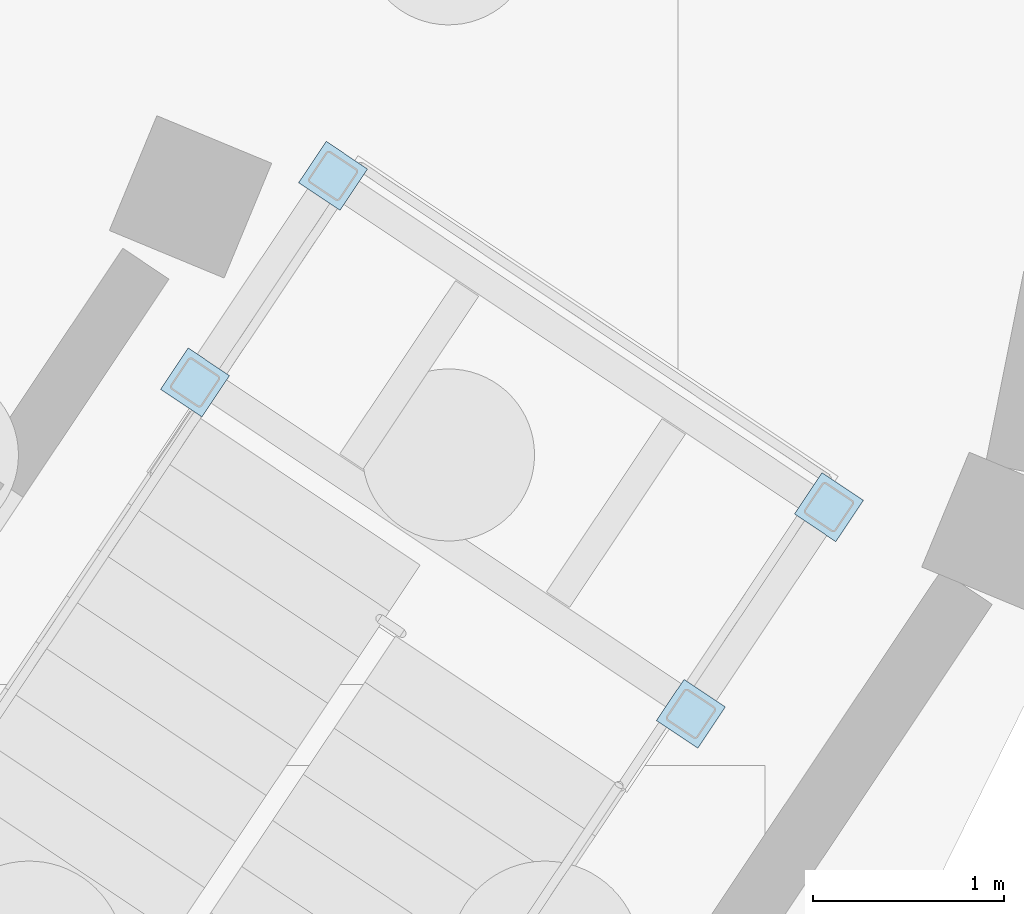
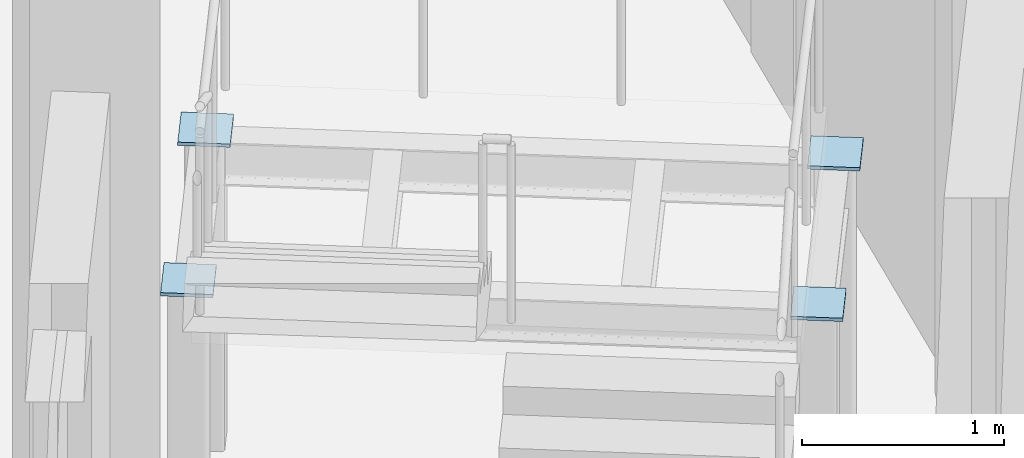
# One storey, part 36 of 58: 4 plates.
"""IFC4 building model written with IfcOpenShell, lengths in metres."""

from ifc_helpers import new_model, si_unit, direction, frame, origin, origin_2d, place, context, subcontext, project, spatial, rectangle, extrude, material, layer, layer_set, type_object, element, save


model = new_model("IFC4")

# Units and contexts
model_context = context("Model", 3, precision=1e-05, world=origin(), true_north=direction((0.0, 1.0)))
body_context = subcontext(model_context, "Body", "Model", "MODEL_VIEW")
ifc_project = project(units=[si_unit("LENGTHUNIT", "METRE"), si_unit("AREAUNIT", "SQUARE_METRE"), si_unit("VOLUMEUNIT", "CUBIC_METRE"), si_unit("PLANEANGLEUNIT", "RADIAN"), si_unit("MASSUNIT", "GRAM", prefix="KILO")], contexts=[model_context])

# Site, building, storey
site_placement = place(None, origin())
site = spatial("IfcSite", under=ifc_project, at=site_placement, CompositionType="ELEMENT")
building_placement = place(site_placement, origin())
building = spatial("IfcBuilding", under=site, at=building_placement, Name="Caldaven Crescent School", CompositionType="ELEMENT")
storey_placement = place(building_placement, frame((0.0, 0.0, -4.080078125)))
storey = spatial("IfcBuildingStorey", under=building, at=storey_placement, Name="B1", CompositionType="ELEMENT", Elevation=-4.080078125)

# Plates
ifc_material = material(Name="Steel ASTM A572 Grade 50", Category="steel")
ifc_layer = layer(ifc_material, 0.02001953125)
ifc_layer_set = layer_set([ifc_layer], Name="Steel ASTM A572 Grade 50")
plate_type = type_object("IfcPlateType", Name="PLT-CAP20", PredefinedType="USERDEFINED", material=ifc_layer_set)
for number, where, z_axis, x_axis, name in (
    (1, (36.650146484375, 91.433349609375, 1.860107421875), (0.0, 0.0, 1.0), (0.55557023302, 0.831469612303, 0.0), "CAP-STPOST-STB1-B1-A"),
    (2, (34.055908203125, 93.16650390625, 1.860107421875), (0.0, 0.0, 1.0), (0.55557023302, 0.831469612303, 0.0), "CAP-STPOST-STB1-B1-B"),
    (3, (37.372314453125, 92.51416015625, 1.860107421875), (0.0, 0.0, 1.0), (0.55557023302, 0.831469612303, 0.0), "CAP-STPOST-STB1-B1-C"),
    (4, (34.778076171875, 94.24755859375, 1.860107421875), (0.0, 0.0, 1.0), (0.55557023302, 0.831469612303, 0.0), "CAP-STPOST-STB1-B1-D"),
):
    element("IfcPlate", number, at=place(storey_placement, frame(where, z_axis=z_axis, x_axis=x_axis)), inside=storey, type_object=plate_type, Name=name, ObjectType="CAP_PLATE", PredefinedType="USERDEFINED", context=body_context, shape_type="SweptSolid", body=[
        extrude(rectangle(XDim=0.260009765625, YDim=0.260009765625, at=origin_2d()), origin(), (0.0, 0.0, 1.0), 0.02001953125),
    ])

save(model, "model.ifc")
